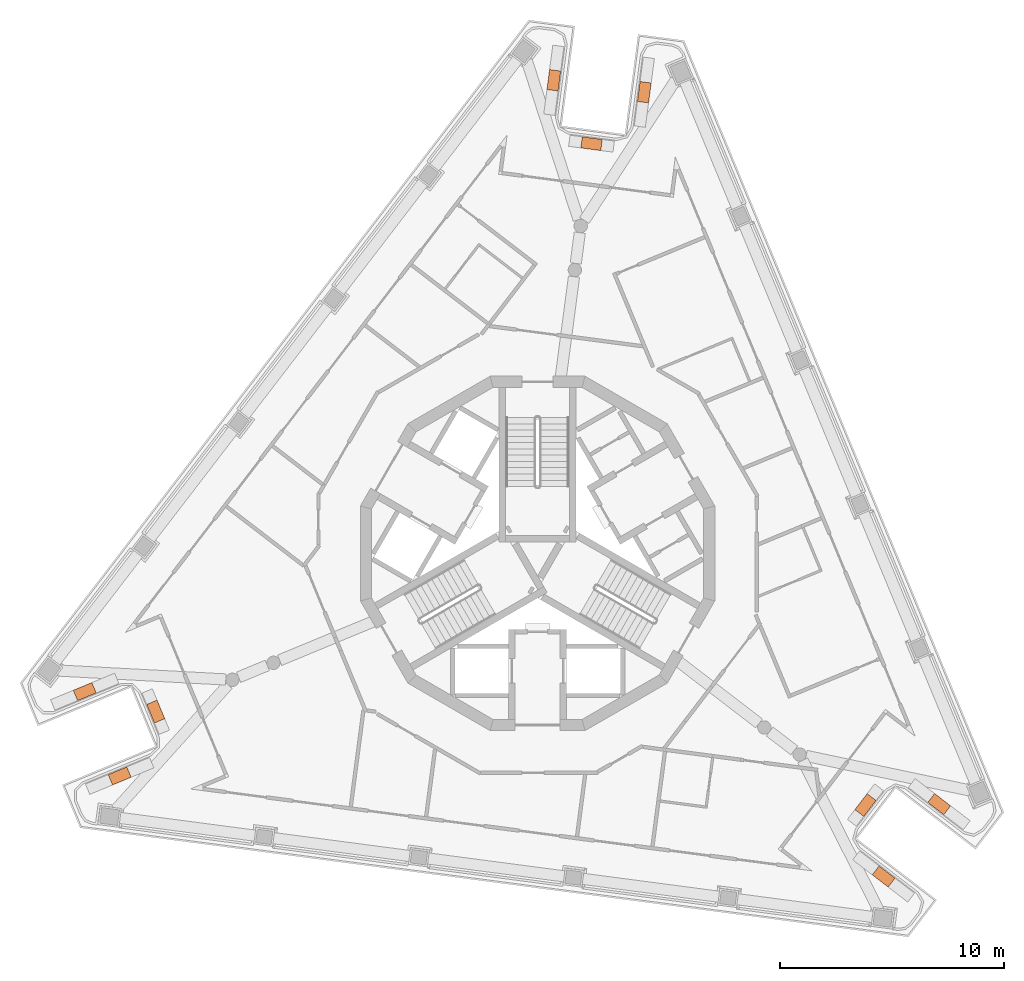
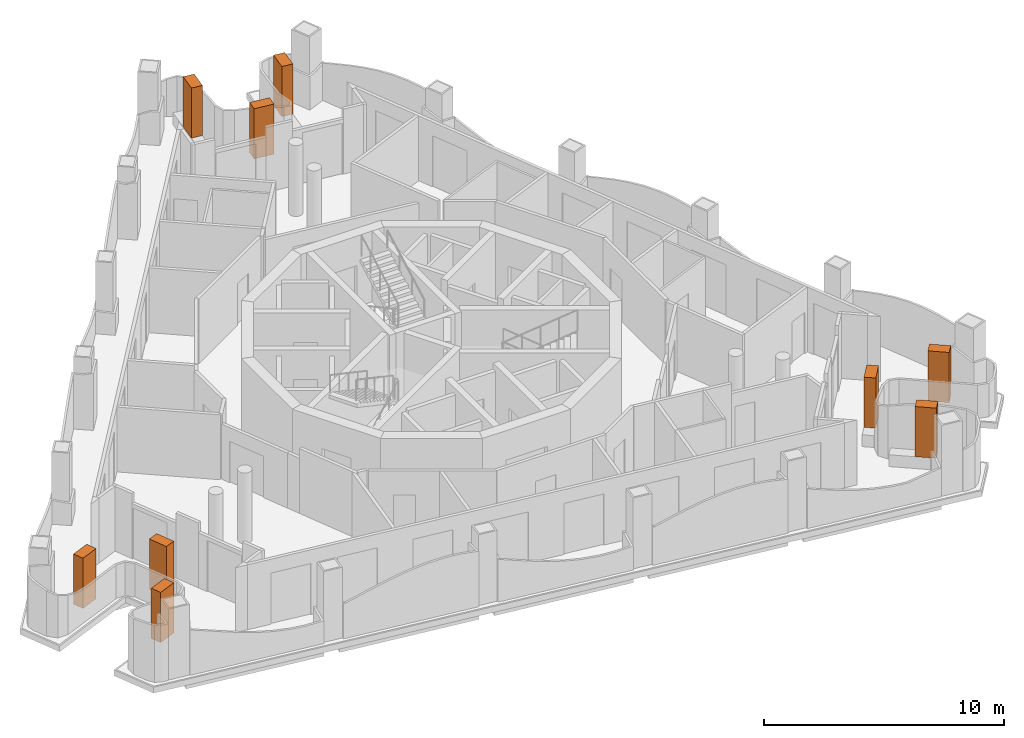
# One storey, part 13 of 13: 9 geographic elements.
"""IFC4 building model written with IfcOpenShell, lengths in metres."""

from ifc_helpers import new_model, si_unit, direction, frame, origin, origin_2d, place, context, subcontext, project, spatial, rectangle, extrude, element, save


model = new_model("IFC4")

# Units and contexts
model_context = context("Model", 3, precision=1e-05, world=origin(), true_north=direction((0.0, 1.0)))
body_context = subcontext(model_context, "Body", "Model", "MODEL_VIEW")
ifc_project = project(units=[si_unit("LENGTHUNIT", "METRE"), si_unit("AREAUNIT", "SQUARE_METRE"), si_unit("VOLUMEUNIT", "CUBIC_METRE"), si_unit("PLANEANGLEUNIT", "RADIAN"), si_unit("MASSUNIT", "GRAM", prefix="KILO")], contexts=[model_context])

# Site, building, storey
site_placement = place(None, origin())
site = spatial("IfcSite", under=ifc_project, at=site_placement, CompositionType="ELEMENT")
building_placement = place(site_placement, origin())
building = spatial("IfcBuilding", under=site, at=building_placement, Name="Trine Commons Tower", CompositionType="ELEMENT")
storey_placement = place(building_placement, frame((0.0, 0.0, 286.199951171875)))
storey = spatial("IfcBuildingStorey", under=building, at=storey_placement, Name="L75", CompositionType="ELEMENT", Elevation=286.199951171875)

# Geographic elements
for number, where, z_axis, x_axis, name in (
    (1, (61.31982421875, 52.554443359375, 0.60009765625), (0.0, 0.0, 1.0), (0.923885543575, 0.382668920052, 0.0), "Tree 1.1"),
    (2, (62.93212890625, 55.430419921875, 0.60009765625), (0.0, 0.0, 1.0), (-0.382688269782, 0.923877528773, 0.0), "Tree 2.1"),
    (3, (59.758544921875, 56.32373046875, 0.60009765625), (0.0, 0.0, 1.0), (-0.923885543575, -0.382668920052, 0.0), "Tree 3.1"),
    (4, (80.726806640625, 83.650146484375, 0.60009765625), (0.0, 0.0, 1.0), (-0.130514079426, -0.991446455978, 0.0), "Tree 4.1"),
    (5, (82.411376953125, 80.816162109375, 0.60009765625), (0.0, 0.0, 1.0), (0.991442583111, -0.130543496177, 0.0), "Tree 5.1"),
    (6, (84.77197265625, 83.11767578125, 0.60009765625), (0.0, 0.0, 1.0), (0.130517540226, 0.991446000392, 0.0), "Tree 6.1"),
    (7, (97.953125, 51.29541015625, 0.60009765625), (0.0, 0.0, 1.0), (-0.793348027815, 0.6087683523, 0.0), "Tree 7.1"),
    (8, (94.656494140625, 51.253662109375, 0.60009765625), (0.0, 0.0, 1.0), (-0.608764198331, -0.793351215308, 0.0), "Tree 8.1"),
    (9, (95.469482421875, 48.05859375, 0.60009765625), (0.0, 0.0, 1.0), (0.793348027815, -0.6087683523, 0.0), "Tree 9.1"),
):
    element("IfcGeographicElement", number, at=place(storey_placement, frame(where, z_axis=z_axis, x_axis=x_axis)), inside=storey, Name=name, ObjectType="TREE Tabebuia rosea", PredefinedType="USERDEFINED", context=body_context, shape_type="SweptSolid", body=[
        extrude(rectangle(XDim=0.89990234375, YDim=0.5, at=origin_2d()), origin(), (0.0, 0.0, 1.0), 2.550048828125),
    ])

save(model, "model.ifc")
